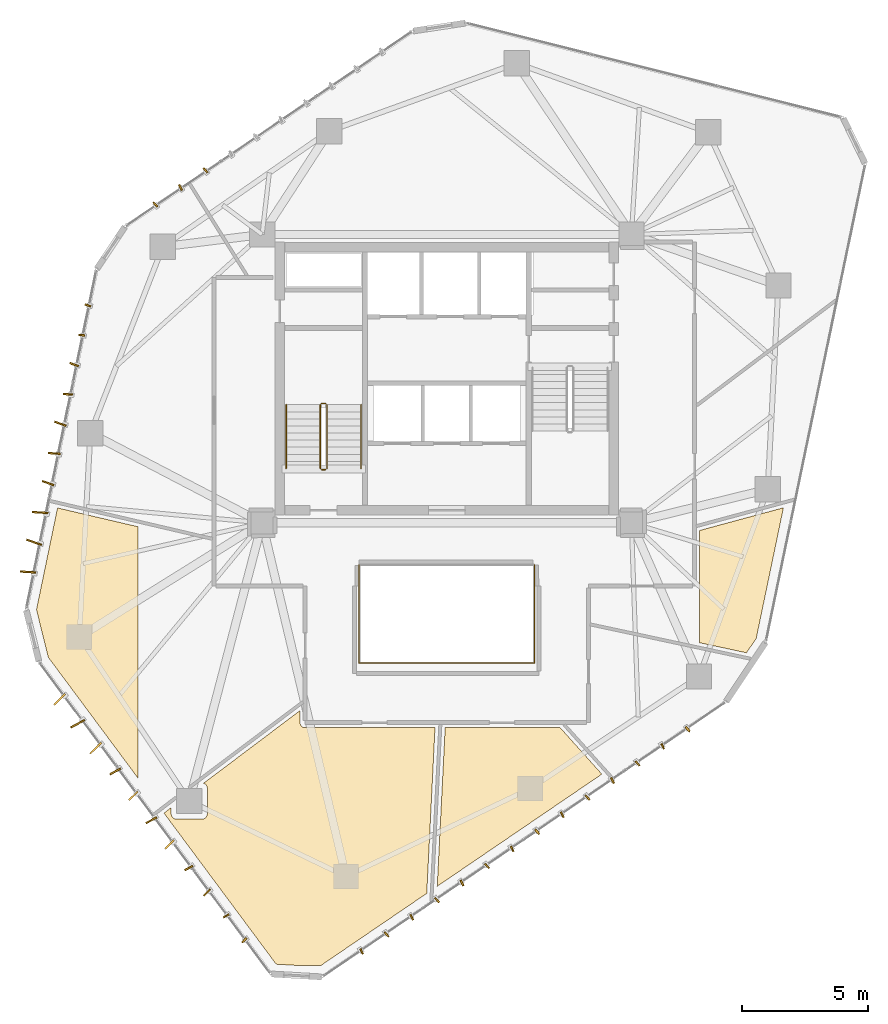
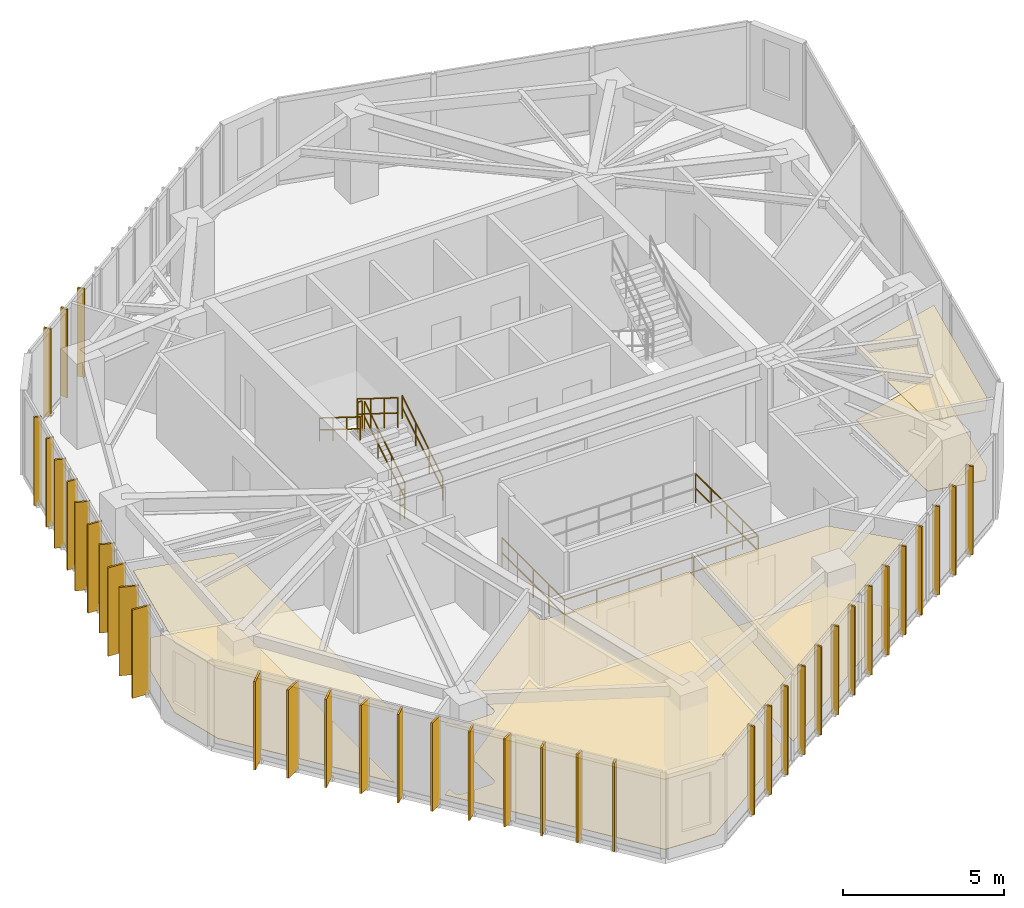
# One storey, part 19 of 20: 38 shading devices, 9 railings, 8 coverings.
"""IFC4 building model written with IfcOpenShell, lengths in metres."""

from ifc_helpers import new_model, si_unit, direction, frame, origin, origin_2d, place, context, subcontext, project, spatial, polyline, rectangle, circle, outline, extrude, source, transform, mapped, material, layer, layer_set, type_object, type_shapes, element, save


model = new_model("IFC4")

# Units and contexts
model_context = context("Model", 3, precision=1e-05, world=origin(), true_north=direction((0.0, 1.0)))
body_context = subcontext(model_context, "Body", "Model", "MODEL_VIEW")
ifc_project = project(units=[si_unit("LENGTHUNIT", "METRE"), si_unit("AREAUNIT", "SQUARE_METRE"), si_unit("VOLUMEUNIT", "CUBIC_METRE"), si_unit("PLANEANGLEUNIT", "RADIAN"), si_unit("MASSUNIT", "GRAM", prefix="KILO")], contexts=[model_context])

# Site, building, storey
site_placement = place(None, origin())
site = spatial("IfcSite", under=ifc_project, at=site_placement, CompositionType="ELEMENT")
building_placement = place(site_placement, origin())
building = spatial("IfcBuilding", under=site, at=building_placement, Name="Talar Marvaseh", CompositionType="ELEMENT")
storey_placement = place(building_placement, frame((0.0, 0.0, 191.5)))
storey = spatial("IfcBuildingStorey", under=building, at=storey_placement, Name="L50", CompositionType="ELEMENT", Elevation=191.5)

# Railings
ifc_material_1 = material(Name="Stainless Steel Grade 316", Category="steel")
railing_type_1 = type_object("IfcRailingType", Name="Brushed Stainless Wall Pitch Handrail 900", PredefinedType="HANDRAIL", material=ifc_material_1)
railing_1_placement = place(storey_placement, frame((22.610107421875, 27.64990234375, 0.175048828125)))
element("IfcRailing", 1, at=railing_1_placement, inside=storey, type_object=railing_type_1, Name="L50 ST-1 stair handrail 1", PredefinedType="HANDRAIL", context=body_context, shape_type="SweptSolid", body=[
    extrude(circle(Radius=0.02392578125, at=origin_2d()), frame((0.0, 0.0, 0.8759765625), z_axis=(0.0, 0.848007534815, 0.529984170421), x_axis=(-1.0, 0.0, 0.0)), (0.0, 0.0, 1.0), 2.9716796875),
    extrude(circle(Radius=0.02392578125, at=origin_2d()), frame((0.0, 0.0, 0.42578125), z_axis=(0.0, 0.848007534815, 0.529984170421), x_axis=(-1.0, 0.0, 0.0)), (0.0, 0.0, 1.0), 2.9716796875),
    extrude(circle(Radius=0.02099609375, at=origin_2d()), origin(), (0.0, 0.0, 1.0), 0.851806640625),
    extrude(circle(Radius=0.02099609375, at=origin_2d()), frame((0.0, 0.840087890625, 0.52490234375)), (0.0, 0.0, 1.0), 0.851806640625),
    extrude(circle(Radius=0.02099609375, at=origin_2d()), frame((0.0, 1.679931640625, 1.050048828125)), (0.0, 0.0, 1.0), 0.851806640625),
    extrude(circle(Radius=0.02099609375, at=origin_2d()), frame((0.0, 2.52001953125, 1.574951171875)), (0.0, 0.0, 1.0), 0.851806640625),
])
railing_2_placement = place(storey_placement, frame((19.64990234375, 30.169921875, 1.925048828125)))
element("IfcRailing", 2, at=railing_2_placement, inside=storey, type_object=railing_type_1, Name="L50 ST-1 stair handrail 2", PredefinedType="HANDRAIL", context=body_context, shape_type="SweptSolid", body=[
    extrude(circle(Radius=0.02392578125, at=origin_2d()), frame((0.0, 0.0, 0.8759765625), z_axis=(0.0, -0.848007534815, 0.529984170421), x_axis=(1.0, 0.0, 0.0)), (0.0, 0.0, 1.0), 2.9716796875),
    extrude(circle(Radius=0.02392578125, at=origin_2d()), frame((0.0, 0.0, 0.42578125), z_axis=(0.0, -0.848007534815, 0.529984170421), x_axis=(1.0, 0.0, 0.0)), (0.0, 0.0, 1.0), 2.9716796875),
    extrude(circle(Radius=0.02099609375, at=origin_2d()), origin(), (0.0, 0.0, 1.0), 0.851806640625),
    extrude(circle(Radius=0.02099609375, at=origin_2d()), frame((0.0, -0.840087890625, 0.52490234375)), (0.0, 0.0, 1.0), 0.851806640625),
    extrude(circle(Radius=0.02099609375, at=origin_2d()), frame((0.0, -1.679931640625, 1.050048828125)), (0.0, 0.0, 1.0), 0.851806640625),
    extrude(circle(Radius=0.02099609375, at=origin_2d()), frame((0.0, -2.52001953125, 1.574951171875)), (0.0, 0.0, 1.0), 0.851806640625),
])
ifc_material_2 = material(Name="Tempered Clear Glass", Category="glass")
railing_type_2 = type_object("IfcRailingType", Name="Interior Atrium Edge Balustrade 1120", PredefinedType="BALUSTRADE", material=ifc_material_2)
railing_3_placement = place(storey_placement, frame((22.5302734375, 19.9609375, 0.0)))
element("IfcRailing", 3, at=railing_3_placement, inside=storey, type_object=railing_type_2, Name="L50 Internal Daylight Atrium Balustrade 1", PredefinedType="BALUSTRADE", context=body_context, shape_type="SweptSolid", body=[
    extrude(circle(Radius=0.02392578125, at=origin_2d()), frame((0.0, 0.0, 1.09619140625), z_axis=(1.0, 0.0, 0.0), x_axis=(0.0, 1.0, 0.0)), (0.0, 0.0, 1.0), 6.939453125),
    extrude(circle(Radius=0.02392578125, at=origin_2d()), frame((0.0, 0.0, 0.5361328125), z_axis=(1.0, 0.0, 0.0), x_axis=(0.0, 1.0, 0.0)), (0.0, 0.0, 1.0), 6.939453125),
    extrude(circle(Radius=0.02099609375, at=origin_2d()), origin(), (0.0, 0.0, 1.0), 1.072021484375),
    extrude(circle(Radius=0.02099609375, at=origin_2d()), frame((1.156494140625, 0.0, 0.0)), (0.0, 0.0, 1.0), 1.072021484375),
    extrude(circle(Radius=0.02099609375, at=origin_2d()), frame((2.313232421875, 0.0, 0.0)), (0.0, 0.0, 1.0), 1.072021484375),
    extrude(circle(Radius=0.02099609375, at=origin_2d()), frame((3.4697265625, 0.0, 0.0)), (0.0, 0.0, 1.0), 1.072021484375),
    extrude(circle(Radius=0.02099609375, at=origin_2d()), frame((4.626220703125, 0.0, 0.0)), (0.0, 0.0, 1.0), 1.072021484375),
    extrude(circle(Radius=0.02099609375, at=origin_2d()), frame((5.782958984375, 0.0, 0.0)), (0.0, 0.0, 1.0), 1.072021484375),
    extrude(circle(Radius=0.02099609375, at=origin_2d()), frame((6.939453125, 0.0, 0.0)), (0.0, 0.0, 1.0), 1.072021484375),
])
railing_4_placement = place(storey_placement, frame((29.4697265625, 19.9609375, 0.0)))
element("IfcRailing", 4, at=railing_4_placement, inside=storey, type_object=railing_type_2, Name="L50 Internal Daylight Atrium Balustrade 2", PredefinedType="BALUSTRADE", context=body_context, shape_type="SweptSolid", body=[
    extrude(circle(Radius=0.02392578125, at=origin_2d()), frame((0.0, 0.0, 1.09619140625), z_axis=(0.0, 1.0, 0.0), x_axis=(-1.0, 0.0, 0.0)), (0.0, 0.0, 1.0), 3.878173828125),
    extrude(circle(Radius=0.02392578125, at=origin_2d()), frame((0.0, 0.0, 0.5361328125), z_axis=(0.0, 1.0, 0.0), x_axis=(-1.0, 0.0, 0.0)), (0.0, 0.0, 1.0), 3.878173828125),
    extrude(circle(Radius=0.02099609375, at=origin_2d()), origin(), (0.0, 0.0, 1.0), 1.072021484375),
    extrude(circle(Radius=0.02099609375, at=origin_2d()), frame((0.0, 0.969482421875, 0.0)), (0.0, 0.0, 1.0), 1.072021484375),
    extrude(circle(Radius=0.02099609375, at=origin_2d()), frame((0.0, 1.93896484375, 0.0)), (0.0, 0.0, 1.0), 1.072021484375),
    extrude(circle(Radius=0.02099609375, at=origin_2d()), frame((0.0, 2.90869140625, 0.0)), (0.0, 0.0, 1.0), 1.072021484375),
    extrude(circle(Radius=0.02099609375, at=origin_2d()), frame((0.0, 3.878173828125, 0.0)), (0.0, 0.0, 1.0), 1.072021484375),
])
railing_5_placement = place(storey_placement, frame((22.5302734375, 23.839111328125, 0.0)))
element("IfcRailing", 5, at=railing_5_placement, inside=storey, type_object=railing_type_2, Name="L50 Internal Daylight Atrium Balustrade 4", PredefinedType="BALUSTRADE", context=body_context, shape_type="SweptSolid", body=[
    extrude(circle(Radius=0.02392578125, at=origin_2d()), frame((0.0, 0.0, 1.09619140625), z_axis=(0.0, -1.0, 0.0), x_axis=(1.0, 0.0, 0.0)), (0.0, 0.0, 1.0), 3.878173828125),
    extrude(circle(Radius=0.02392578125, at=origin_2d()), frame((0.0, 0.0, 0.5361328125), z_axis=(0.0, -1.0, 0.0), x_axis=(1.0, 0.0, 0.0)), (0.0, 0.0, 1.0), 3.878173828125),
    extrude(circle(Radius=0.02099609375, at=origin_2d()), origin(), (0.0, 0.0, 1.0), 1.072021484375),
    extrude(circle(Radius=0.02099609375, at=origin_2d()), frame((0.0, -0.969482421875, 0.0)), (0.0, 0.0, 1.0), 1.072021484375),
    extrude(circle(Radius=0.02099609375, at=origin_2d()), frame((0.0, -1.93896484375, 0.0)), (0.0, 0.0, 1.0), 1.072021484375),
    extrude(circle(Radius=0.02099609375, at=origin_2d()), frame((0.0, -2.90869140625, 0.0)), (0.0, 0.0, 1.0), 1.072021484375),
    extrude(circle(Radius=0.02099609375, at=origin_2d()), frame((0.0, -3.878173828125, 0.0)), (0.0, 0.0, 1.0), 1.072021484375),
])
railing_type_3 = type_object("IfcRailingType", Name="Painted Steel Core Stair Well Guardrail 1150", PredefinedType="GUARDRAIL", material=ifc_material_1)
railing_6_placement = place(storey_placement, frame((21.260009765625, 27.64990234375, 0.175048828125)))
element("IfcRailing", 6, at=railing_6_placement, inside=storey, type_object=railing_type_3, Name="L50 ST-1 stair guard 1", PredefinedType="GUARDRAIL", context=body_context, shape_type="SweptSolid", body=[
    extrude(circle(Radius=0.02392578125, at=origin_2d()), frame((0.0, 0.0, 1.1259765625), z_axis=(0.0, 0.848007534815, 0.529984170421), x_axis=(-1.0, 0.0, 0.0)), (0.0, 0.0, 1.0), 2.9716796875),
    extrude(circle(Radius=0.02392578125, at=origin_2d()), frame((0.0, 0.0, 0.55078125), z_axis=(0.0, 0.848007534815, 0.529984170421), x_axis=(-1.0, 0.0, 0.0)), (0.0, 0.0, 1.0), 2.9716796875),
    extrude(circle(Radius=0.02099609375, at=origin_2d()), origin(), (0.0, 0.0, 1.0), 1.101806640625),
    extrude(circle(Radius=0.02099609375, at=origin_2d()), frame((0.0, 0.840087890625, 0.52490234375)), (0.0, 0.0, 1.0), 1.101806640625),
    extrude(circle(Radius=0.02099609375, at=origin_2d()), frame((0.0, 1.679931640625, 1.050048828125)), (0.0, 0.0, 1.0), 1.101806640625),
    extrude(circle(Radius=0.02099609375, at=origin_2d()), frame((0.0, 2.52001953125, 1.574951171875)), (0.0, 0.0, 1.0), 1.101806640625),
])
railing_7_placement = place(storey_placement, frame((21.2099609375, 30.219970703125, 1.75)))
element("IfcRailing", 7, at=railing_7_placement, inside=storey, type_object=railing_type_3, Name="L50 ST-1 stair guard 2", PredefinedType="GUARDRAIL", context=body_context, shape_type="SweptSolid", body=[
    extrude(circle(Radius=0.02392578125, at=origin_2d()), frame((0.0, 0.0, 1.1259765625), z_axis=(-1.0, 0.0, 0.0), x_axis=(0.0, -1.0, 0.0)), (0.0, 0.0, 1.0), 0.159912109375),
    extrude(circle(Radius=0.02392578125, at=origin_2d()), frame((0.0, 0.0, 0.55078125), z_axis=(-1.0, 0.0, 0.0), x_axis=(0.0, -1.0, 0.0)), (0.0, 0.0, 1.0), 0.159912109375),
    extrude(circle(Radius=0.02099609375, at=origin_2d()), origin(), (0.0, 0.0, 1.0), 1.101806640625),
    extrude(circle(Radius=0.02099609375, at=origin_2d()), frame((-0.159912109375, 0.0, 0.0)), (0.0, 0.0, 1.0), 1.101806640625),
])
railing_8_placement = place(storey_placement, frame((21.0, 30.169921875, 1.925048828125)))
element("IfcRailing", 8, at=railing_8_placement, inside=storey, type_object=railing_type_3, Name="L50 ST-1 stair guard 3", PredefinedType="GUARDRAIL", context=body_context, shape_type="SweptSolid", body=[
    extrude(circle(Radius=0.02392578125, at=origin_2d()), frame((0.0, 0.0, 1.1259765625), z_axis=(0.0, -0.848007534815, 0.529984170421), x_axis=(1.0, 0.0, 0.0)), (0.0, 0.0, 1.0), 2.9716796875),
    extrude(circle(Radius=0.02392578125, at=origin_2d()), frame((0.0, 0.0, 0.55078125), z_axis=(0.0, -0.848007534815, 0.529984170421), x_axis=(1.0, 0.0, 0.0)), (0.0, 0.0, 1.0), 2.9716796875),
    extrude(circle(Radius=0.02099609375, at=origin_2d()), origin(), (0.0, 0.0, 1.0), 1.101806640625),
    extrude(circle(Radius=0.02099609375, at=origin_2d()), frame((0.0, -0.840087890625, 0.52490234375)), (0.0, 0.0, 1.0), 1.101806640625),
    extrude(circle(Radius=0.02099609375, at=origin_2d()), frame((0.0, -1.679931640625, 1.050048828125)), (0.0, 0.0, 1.0), 1.101806640625),
    extrude(circle(Radius=0.02099609375, at=origin_2d()), frame((0.0, -2.52001953125, 1.574951171875)), (0.0, 0.0, 1.0), 1.101806640625),
])
railing_9_placement = place(storey_placement, frame((21.2099609375, 27.60009765625, 0.0)))
element("IfcRailing", 9, at=railing_9_placement, inside=storey, type_object=railing_type_3, Name="L50 ST-1 stair guard 4", PredefinedType="GUARDRAIL", context=body_context, shape_type="SweptSolid", body=[
    extrude(circle(Radius=0.02392578125, at=origin_2d()), frame((0.0, 0.0, 1.1259765625), z_axis=(-1.0, 0.0, 0.0), x_axis=(0.0, -1.0, 0.0)), (0.0, 0.0, 1.0), 0.159912109375),
    extrude(circle(Radius=0.02392578125, at=origin_2d()), frame((0.0, 0.0, 0.55078125), z_axis=(-1.0, 0.0, 0.0), x_axis=(0.0, -1.0, 0.0)), (0.0, 0.0, 1.0), 0.159912109375),
    extrude(circle(Radius=0.02099609375, at=origin_2d()), origin(), (0.0, 0.0, 1.0), 1.101806640625),
    extrude(circle(Radius=0.02099609375, at=origin_2d()), frame((-0.159912109375, 0.0, 0.0)), (0.0, 0.0, 1.0), 1.101806640625),
])

# Coverings
ifc_material_3 = material(Name="Mineral Fibre Acoustic Ceiling")
ifc_layer_1 = layer(ifc_material_3, 0.02490234375)
ifc_layer_set_1 = layer_set([ifc_layer_1], Name="Mineral Fibre Acoustic Ceiling")
covering_type_1 = type_object("IfcCoveringType", Name="Perforated Mineral Fibre Acoustic Suspended Ceiling", PredefinedType="CEILING", material=ifc_layer_set_1)
covering_1_placement = place(storey_placement, frame((0.0, 0.0, 2.64990234375)))
element("IfcCovering", 10, at=covering_1_placement, inside=storey, type_object=covering_type_1, Name="L50 Seminar Room Acoustic Ceiling", PredefinedType="CEILING", context=body_context, shape_type="SweptSolid", body=[
    extrude(outline(polyline([(13.800048828125, 25.34375), (13.800048828125, 15.394287109375), (10.244873046875, 20.18212890625), (9.77880859375, 22.068603515625), (10.610107421875, 26.088623046875), (13.800048828125, 25.34375)])), origin(), (0.0, 0.0, 1.0), 0.025146484375),
])
covering_2_placement = place(storey_placement, frame((0.0, 0.0, 2.64990234375)))
element("IfcCovering", 11, at=covering_2_placement, inside=storey, type_object=covering_type_1, Name="L50 Curatorial Staff Control Room Acoustic Ceiling", PredefinedType="CEILING", context=body_context, shape_type="SweptSolid", body=[
    extrude(outline(polyline([(20.199951171875, 17.60009765625), (20.200927734375, 17.580322265625), (20.203857421875, 17.56103515625), (20.20849609375, 17.5419921875), (20.215087890625, 17.5234375), (20.2236328125, 17.505615234375), (20.233642578125, 17.489013671875), (20.245361328125, 17.47314453125), (20.258544921875, 17.45849609375), (20.273193359375, 17.4453125), (20.288818359375, 17.43359375), (20.3056640625, 17.423583984375), (20.323486328125, 17.415283203125), (20.341796875, 17.40869140625), (20.361083984375, 17.40380859375), (20.38037109375, 17.40087890625), (20.39990234375, 17.39990234375), (25.535400390625, 17.39990234375), (25.20849609375, 10.848388671875), (21.02685546875, 8.0), (20.1064453125, 8.0), (19.254150390625, 8.049560546875), (14.818115234375, 14.0234375), (15.10400390625, 14.239013671875), (15.10400390625, 14.0009765625), (15.10498046875, 13.9814453125), (15.10791015625, 13.9619140625), (15.11279296875, 13.94287109375), (15.119384765625, 13.92431640625), (15.127685546875, 13.906494140625), (15.134521484375, 13.89404296875), (15.14453125, 13.877197265625), (15.15625, 13.861572265625), (15.16943359375, 13.846923828125), (15.18408203125, 13.833740234375), (15.19970703125, 13.822021484375), (15.216552734375, 13.81201171875), (15.234375, 13.8037109375), (15.252685546875, 13.797119140625), (15.27197265625, 13.792236328125), (15.291259765625, 13.789306640625), (15.310791015625, 13.78857421875), (16.32861328125, 13.789306640625), (16.34912109375, 13.79052734375), (16.369384765625, 13.793701171875), (16.38916015625, 13.798828125), (16.408447265625, 13.805908203125), (16.4267578125, 13.815185546875), (16.444091796875, 13.826171875), (16.460205078125, 13.8388671875), (16.474853515625, 13.85302734375), (16.488037109375, 13.86865234375), (16.49951171875, 13.8857421875), (16.50927734375, 13.90380859375), (16.5146484375, 13.915283203125), (16.521484375, 13.931640625), (16.527099609375, 13.948486328125), (16.531005859375, 13.966064453125), (16.533203125, 13.983642578125), (16.533935546875, 14.00146484375), (16.5322265625, 15.008544921875), (16.531005859375, 15.029052734375), (16.52783203125, 15.04931640625), (16.522705078125, 15.069091796875), (16.515380859375, 15.08837890625), (16.506103515625, 15.10693359375), (16.4951171875, 15.124267578125), (16.482177734375, 15.140380859375), (16.4677734375, 15.155029296875), (16.451904296875, 15.168212890625), (16.434814453125, 15.1796875), (16.421630859375, 15.1875), (16.402587890625, 15.19775390625), (16.385498046875, 15.20458984375), (20.199951171875, 18.0791015625), (20.199951171875, 17.60009765625)])), origin(), (0.0, 0.0, 1.0), 0.025146484375),
])
covering_3_placement = place(storey_placement, frame((0.0, 0.0, 2.64990234375)))
element("IfcCovering", 12, at=covering_3_placement, inside=storey, type_object=covering_type_1, Name="L50 Colloquium Boardroom Acoustic Ceiling", PredefinedType="CEILING", context=body_context, shape_type="SweptSolid", body=[
    extrude(outline(polyline([(32.131591796875, 15.5634765625), (25.623291015625, 11.130615234375), (25.935791015625, 17.39990234375), (30.484619140625, 17.39990234375), (32.131591796875, 15.5634765625)])), origin(), (0.0, 0.0, 1.0), 0.025146484375),
])
covering_4_placement = place(storey_placement, frame((0.0, 0.0, 2.64990234375)))
element("IfcCovering", 13, at=covering_4_placement, inside=storey, type_object=covering_type_1, Name="L50 Accessible WC Acoustic Ceiling", PredefinedType="CEILING", context=body_context, shape_type="SweptSolid", body=[
    extrude(outline(polyline([(36.0, 23.0), (36.0, 25.19921875), (39.310302734375, 26.09521484375), (38.236572265625, 20.937255859375), (37.8515625, 20.36083984375), (36.0, 20.75830078125), (36.0, 23.0)])), origin(), (0.0, 0.0, 1.0), 0.025146484375),
])
ifc_material_4 = material(Name="Porcelain Stoneware Tile", Category="masonry")
ifc_layer_2 = layer(ifc_material_4, 0.02001953125)
ifc_layer_set_2 = layer_set([ifc_layer_2], Name="Porcelain Stoneware Tile")
covering_type_2 = type_object("IfcCoveringType", Name="Polished Porcelain Stoneware Gallery Flooring", PredefinedType="FLOORING", material=ifc_layer_set_2)
covering_5_placement = place(storey_placement, origin())
element("IfcCovering", 14, at=covering_5_placement, inside=storey, type_object=covering_type_2, Name="L50 Seminar Room Flooring", PredefinedType="FLOORING", context=body_context, shape_type="SweptSolid", body=[
    extrude(outline(polyline([(13.800048828125, 25.34375), (13.800048828125, 15.394287109375), (10.244873046875, 20.18212890625), (9.77880859375, 22.068603515625), (10.610107421875, 26.088623046875), (13.800048828125, 25.34375)])), origin(), (0.0, 0.0, 1.0), 0.02001953125),
])
covering_6_placement = place(storey_placement, origin())
element("IfcCovering", 15, at=covering_6_placement, inside=storey, type_object=covering_type_2, Name="L50 Curatorial Staff Control Room Flooring", PredefinedType="FLOORING", context=body_context, shape_type="SweptSolid", body=[
    extrude(outline(polyline([(20.199951171875, 17.60009765625), (20.200927734375, 17.580322265625), (20.203857421875, 17.56103515625), (20.20849609375, 17.5419921875), (20.215087890625, 17.5234375), (20.2236328125, 17.505615234375), (20.233642578125, 17.489013671875), (20.245361328125, 17.47314453125), (20.258544921875, 17.45849609375), (20.273193359375, 17.4453125), (20.288818359375, 17.43359375), (20.3056640625, 17.423583984375), (20.323486328125, 17.415283203125), (20.341796875, 17.40869140625), (20.361083984375, 17.40380859375), (20.38037109375, 17.40087890625), (20.39990234375, 17.39990234375), (25.535400390625, 17.39990234375), (25.20849609375, 10.848388671875), (21.02685546875, 8.0), (20.1064453125, 8.0), (19.254150390625, 8.049560546875), (14.818115234375, 14.0234375), (15.10400390625, 14.239013671875), (15.10400390625, 14.0009765625), (15.10498046875, 13.9814453125), (15.10791015625, 13.9619140625), (15.11279296875, 13.94287109375), (15.119384765625, 13.92431640625), (15.127685546875, 13.906494140625), (15.134521484375, 13.89404296875), (15.14453125, 13.877197265625), (15.15625, 13.861572265625), (15.16943359375, 13.846923828125), (15.18408203125, 13.833740234375), (15.19970703125, 13.822021484375), (15.216552734375, 13.81201171875), (15.234375, 13.8037109375), (15.252685546875, 13.797119140625), (15.27197265625, 13.792236328125), (15.291259765625, 13.789306640625), (15.310791015625, 13.78857421875), (16.32861328125, 13.789306640625), (16.34912109375, 13.79052734375), (16.369384765625, 13.793701171875), (16.38916015625, 13.798828125), (16.408447265625, 13.805908203125), (16.4267578125, 13.815185546875), (16.444091796875, 13.826171875), (16.460205078125, 13.8388671875), (16.474853515625, 13.85302734375), (16.488037109375, 13.86865234375), (16.49951171875, 13.8857421875), (16.50927734375, 13.90380859375), (16.5146484375, 13.915283203125), (16.521484375, 13.931640625), (16.527099609375, 13.948486328125), (16.531005859375, 13.966064453125), (16.533203125, 13.983642578125), (16.533935546875, 14.00146484375), (16.5322265625, 15.008544921875), (16.531005859375, 15.029052734375), (16.52783203125, 15.04931640625), (16.522705078125, 15.069091796875), (16.515380859375, 15.08837890625), (16.506103515625, 15.10693359375), (16.4951171875, 15.124267578125), (16.482177734375, 15.140380859375), (16.4677734375, 15.155029296875), (16.451904296875, 15.168212890625), (16.434814453125, 15.1796875), (16.421630859375, 15.1875), (16.402587890625, 15.19775390625), (16.385498046875, 15.20458984375), (20.199951171875, 18.0791015625), (20.199951171875, 17.60009765625)])), origin(), (0.0, 0.0, 1.0), 0.02001953125),
])
covering_7_placement = place(storey_placement, origin())
element("IfcCovering", 16, at=covering_7_placement, inside=storey, type_object=covering_type_2, Name="L50 Colloquium Boardroom Flooring", PredefinedType="FLOORING", context=body_context, shape_type="SweptSolid", body=[
    extrude(outline(polyline([(32.131591796875, 15.5634765625), (25.623291015625, 11.130615234375), (25.935791015625, 17.39990234375), (30.484619140625, 17.39990234375), (32.131591796875, 15.5634765625)])), origin(), (0.0, 0.0, 1.0), 0.02001953125),
])
covering_8_placement = place(storey_placement, origin())
element("IfcCovering", 17, at=covering_8_placement, inside=storey, type_object=covering_type_2, Name="L50 Accessible WC Flooring", PredefinedType="FLOORING", context=body_context, shape_type="SweptSolid", body=[
    extrude(outline(polyline([(36.0, 23.0), (36.0, 25.19921875), (39.310302734375, 26.09521484375), (38.236572265625, 20.937255859375), (37.8515625, 20.36083984375), (36.0, 20.75830078125), (36.0, 23.0)])), origin(), (0.0, 0.0, 1.0), 0.02001953125),
])

# Shading devices
ifc_material_5 = material(Name="Anodised Champagne Bronze Aluminium", Category="aluminium")
ifc_layer_3 = layer(ifc_material_5, 0.06494140625)
ifc_layer_set_3 = layer_set([ifc_layer_3], Name="Anodised Champagne Bronze Aluminium")
shading_device_type_1 = type_object("IfcShadingDeviceType", Name="Sawtooth Champagne Bronze Vertical Fin 240", PredefinedType="USERDEFINED", material=ifc_layer_set_3)
shared_shape_1 = source(origin(), body_context, "Body", "SweptSolid", [
    extrude(rectangle(XDim=0.239990234375, YDim=0.06494140625, at=origin_2d()), origin(), (0.0, 0.0, 1.0), 3.35009765625),
])
type_shapes(shading_device_type_1, [shared_shape_1])
for number, where, z_axis, x_axis, name in (
    (18, (17.99609375, 8.9970703125, -0.1201171875), (0.0, 0.0, 1.0), (-0.712026045991, -0.702153052995, 0.0), "L50 Sawtooth Vertical Solar Fin"),
    (19, (17.28076171875, 9.96044921875, -0.1201171875), (0.0, 0.0, 1.0), (-0.877982975428, -0.478691857941, 0.0), "L50 Sawtooth Vertical Solar Fin"),
    (20, (11.568115234375, 32.919921875, -0.1201171875), (0.0, 0.0, 1.0), (-0.9979380835, 0.064183966065, 0.0), "L50 Sawtooth Vertical Solar Fin"),
    (21, (11.81103515625, 34.094970703125, -0.1201171875), (0.0, 0.0, 1.0), (-0.941588155895, 0.336766602676, 0.0), "L50 Sawtooth Vertical Solar Fin"),
    (22, (14.477294921875, 38.085205078125, -0.1201171875), (0.0, 0.0, 1.0), (-0.671461958818, 0.741039025868, 0.0), "L50 Sawtooth Vertical Solar Fin"),
    (23, (15.469970703125, 38.75927734375, -0.1201171875), (0.0, 0.0, 1.0), (-0.441192623644, 0.897412429623, 0.0), "L50 Sawtooth Vertical Solar Fin"),
    (24, (16.462646484375, 39.43359375, -0.1201171875), (0.0, 0.0, 1.0), (-0.671461958818, 0.741039025868, 0.0), "L50 Sawtooth Vertical Solar Fin"),
    (25, (35.52685546875, 17.337646484375, -0.1201171875), (0.0, 0.0, 1.0), (0.672495989628, -0.740100766068, 0.0), "L50 Sawtooth Vertical Solar Fin"),
    (26, (34.53515625, 16.662109375, -0.1201171875), (0.0, 0.0, 1.0), (0.442445217305, -0.896795533934, 0.0), "L50 Sawtooth Vertical Solar Fin"),
    (27, (33.543212890625, 15.986572265625, -0.1201171875), (0.0, 0.0, 1.0), (0.672495989628, -0.740100766068, 0.0), "L50 Sawtooth Vertical Solar Fin"),
    (28, (32.551513671875, 15.31103515625, -0.1201171875), (0.0, 0.0, 1.0), (0.442445217305, -0.896795533934, 0.0), "L50 Sawtooth Vertical Solar Fin"),
    (29, (31.559814453125, 14.635498046875, -0.1201171875), (0.0, 0.0, 1.0), (0.672495989628, -0.740100766068, 0.0), "L50 Sawtooth Vertical Solar Fin"),
    (30, (30.56787109375, 13.9599609375, -0.1201171875), (0.0, 0.0, 1.0), (0.442445217305, -0.896795533934, 0.0), "L50 Sawtooth Vertical Solar Fin"),
    (31, (29.576171875, 13.284423828125, -0.1201171875), (0.0, 0.0, 1.0), (0.672495989628, -0.740100766068, 0.0), "L50 Sawtooth Vertical Solar Fin"),
    (32, (28.584228515625, 12.60888671875, -0.1201171875), (0.0, 0.0, 1.0), (0.442445217305, -0.896795533934, 0.0), "L50 Sawtooth Vertical Solar Fin"),
    (33, (27.592529296875, 11.93359375, -0.1201171875), (0.0, 0.0, 1.0), (0.672495989628, -0.740100766068, 0.0), "L50 Sawtooth Vertical Solar Fin"),
    (34, (26.6005859375, 11.258056640625, -0.1201171875), (0.0, 0.0, 1.0), (0.442445217305, -0.896795533934, 0.0), "L50 Sawtooth Vertical Solar Fin"),
    (35, (25.60888671875, 10.58251953125, -0.1201171875), (0.0, 0.0, 1.0), (0.672495989628, -0.740100766068, 0.0), "L50 Sawtooth Vertical Solar Fin"),
    (36, (24.616943359375, 9.906982421875, -0.1201171875), (0.0, 0.0, 1.0), (0.442445217305, -0.896795533934, 0.0), "L50 Sawtooth Vertical Solar Fin"),
    (37, (23.625244140625, 9.2314453125, -0.1201171875), (0.0, 0.0, 1.0), (0.672495989628, -0.740100766068, 0.0), "L50 Sawtooth Vertical Solar Fin"),
    (38, (22.63330078125, 8.555908203125, -0.1201171875), (0.0, 0.0, 1.0), (0.442445217305, -0.896795533934, 0.0), "L50 Sawtooth Vertical Solar Fin"),
):
    element("IfcShadingDevice", number, at=place(storey_placement, frame(where, z_axis=z_axis, x_axis=x_axis)), inside=storey, type_object=shading_device_type_1, Name=name, ObjectType="FIN", PredefinedType="USERDEFINED", context=body_context, shape_type="MappedRepresentation", body=[
        mapped(shared_shape_1, transform((0.0, 0.0, 0.0), x_axis=(1.0, 0.0, 0.0), y_axis=(0.0, 1.0, 0.0), z_axis=(0.0, 0.0, 1.0), scale=1.0)),
    ])
ifc_layer_4 = layer(ifc_material_5, 0.06494140625)
ifc_layer_set_4 = layer_set([ifc_layer_4], Name="Anodised Champagne Bronze Aluminium")
shading_device_type_2 = type_object("IfcShadingDeviceType", Name="Sawtooth Champagne Bronze Vertical Fin 360", PredefinedType="USERDEFINED", material=ifc_layer_set_4)
shared_shape_2 = source(origin(), body_context, "Body", "SweptSolid", [
    extrude(rectangle(XDim=0.360107421875, YDim=0.06494140625, at=origin_2d()), origin(), (0.0, 0.0, 1.0), 3.35009765625),
])
type_shapes(shading_device_type_2, [shared_shape_2])
for number, where, z_axis, x_axis, name in (
    (39, (16.51708984375, 10.88818359375, -0.1201171875), (0.0, 0.0, 1.0), (-0.712026045991, -0.702153052995, 0.0), "L50 Sawtooth Vertical Solar Fin"),
    (40, (15.8017578125, 11.8515625, -0.1201171875), (0.0, 0.0, 1.0), (-0.877982975428, -0.478691857941, 0.0), "L50 Sawtooth Vertical Solar Fin"),
    (41, (11.023193359375, 30.581787109375, -0.1201171875), (0.0, 0.0, 1.0), (-0.9979380835, 0.064183966065, 0.0), "L50 Sawtooth Vertical Solar Fin"),
    (42, (11.266357421875, 31.7568359375, -0.1201171875), (0.0, 0.0, 1.0), (-0.941588155895, 0.336766602676, 0.0), "L50 Sawtooth Vertical Solar Fin"),
):
    element("IfcShadingDevice", number, at=place(storey_placement, frame(where, z_axis=z_axis, x_axis=x_axis)), inside=storey, type_object=shading_device_type_2, Name=name, ObjectType="FIN", PredefinedType="USERDEFINED", context=body_context, shape_type="MappedRepresentation", body=[
        mapped(shared_shape_2, transform((0.0, 0.0, 0.0), x_axis=(1.0, 0.0, 0.0), y_axis=(0.0, 1.0, 0.0), z_axis=(0.0, 0.0, 1.0), scale=1.0)),
    ])
ifc_layer_5 = layer(ifc_material_5, 0.06494140625)
ifc_layer_set_5 = layer_set([ifc_layer_5], Name="Anodised Champagne Bronze Aluminium")
shading_device_type_3 = type_object("IfcShadingDeviceType", Name="Sawtooth Champagne Bronze Vertical Fin 480", PredefinedType="USERDEFINED", material=ifc_layer_set_5)
shared_shape_3 = source(origin(), body_context, "Body", "SweptSolid", [
    extrude(rectangle(XDim=0.47998046875, YDim=0.06494140625, at=origin_2d()), origin(), (0.0, 0.0, 1.0), 3.35009765625),
])
type_shapes(shading_device_type_3, [shared_shape_3])
for number, where, z_axis, x_axis, name in (
    (43, (15.0380859375, 12.779296875, -0.1201171875), (0.0, 0.0, 1.0), (-0.712026045991, -0.702153052995, 0.0), "L50 Sawtooth Vertical Solar Fin"),
    (44, (14.32275390625, 13.74267578125, -0.1201171875), (0.0, 0.0, 1.0), (-0.877982975428, -0.478691857941, 0.0), "L50 Sawtooth Vertical Solar Fin"),
    (45, (13.607421875, 14.7060546875, -0.1201171875), (0.0, 0.0, 1.0), (-0.712026045991, -0.702153052995, 0.0), "L50 Sawtooth Vertical Solar Fin"),
    (46, (12.89208984375, 15.66943359375, -0.1201171875), (0.0, 0.0, 1.0), (-0.877982975428, -0.478691857941, 0.0), "L50 Sawtooth Vertical Solar Fin"),
    (47, (10.235595703125, 27.068359375, -0.1201171875), (0.0, 0.0, 1.0), (-0.941588155895, 0.336766602676, 0.0), "L50 Sawtooth Vertical Solar Fin"),
    (48, (10.478515625, 28.243408203125, -0.1201171875), (0.0, 0.0, 1.0), (-0.9979380835, 0.064183966065, 0.0), "L50 Sawtooth Vertical Solar Fin"),
    (49, (10.721435546875, 29.418701171875, -0.1201171875), (0.0, 0.0, 1.0), (-0.941588155895, 0.336766602676, 0.0), "L50 Sawtooth Vertical Solar Fin"),
):
    element("IfcShadingDevice", number, at=place(storey_placement, frame(where, z_axis=z_axis, x_axis=x_axis)), inside=storey, type_object=shading_device_type_3, Name=name, ObjectType="FIN", PredefinedType="USERDEFINED", context=body_context, shape_type="MappedRepresentation", body=[
        mapped(shared_shape_3, transform((0.0, 0.0, 0.0), x_axis=(1.0, 0.0, 0.0), y_axis=(0.0, 1.0, 0.0), z_axis=(0.0, 0.0, 1.0), scale=1.0)),
    ])
ifc_layer_6 = layer(ifc_material_5, 0.06494140625)
ifc_layer_set_6 = layer_set([ifc_layer_6], Name="Anodised Champagne Bronze Aluminium")
shading_device_type_4 = type_object("IfcShadingDeviceType", Name="Sawtooth Champagne Bronze Vertical Fin 620", PredefinedType="USERDEFINED", material=ifc_layer_set_6)
shared_shape_4 = source(origin(), body_context, "Body", "SweptSolid", [
    extrude(rectangle(XDim=0.6201171875, YDim=0.06494140625, at=origin_2d()), origin(), (0.0, 0.0, 1.0), 3.35009765625),
])
type_shapes(shading_device_type_4, [shared_shape_4])
for number, where, z_axis, x_axis, name in (
    (50, (12.120361328125, 16.59130859375, -0.1201171875), (0.0, 0.0, 1.0), (-0.712026045991, -0.702153052995, 0.0), "L50 Sawtooth Vertical Solar Fin"),
    (51, (11.405029296875, 17.5546875, -0.1201171875), (0.0, 0.0, 1.0), (-0.877982975428, -0.478691857941, 0.0), "L50 Sawtooth Vertical Solar Fin"),
    (52, (10.689697265625, 18.51806640625, -0.1201171875), (0.0, 0.0, 1.0), (-0.712026045991, -0.702153052995, 0.0), "L50 Sawtooth Vertical Solar Fin"),
    (53, (9.43798828125, 23.55712890625, -0.1201171875), (0.0, 0.0, 1.0), (-0.9979380835, 0.064183966065, 0.0), "L50 Sawtooth Vertical Solar Fin"),
    (54, (9.68115234375, 24.732421875, -0.1201171875), (0.0, 0.0, 1.0), (-0.941588155895, 0.336766602676, 0.0), "L50 Sawtooth Vertical Solar Fin"),
    (55, (9.924072265625, 25.907470703125, -0.1201171875), (0.0, 0.0, 1.0), (-0.9979380835, 0.064183966065, 0.0), "L50 Sawtooth Vertical Solar Fin"),
):
    element("IfcShadingDevice", number, at=place(storey_placement, frame(where, z_axis=z_axis, x_axis=x_axis)), inside=storey, type_object=shading_device_type_4, Name=name, ObjectType="FIN", PredefinedType="USERDEFINED", context=body_context, shape_type="MappedRepresentation", body=[
        mapped(shared_shape_4, transform((0.0, 0.0, 0.0), x_axis=(1.0, 0.0, 0.0), y_axis=(0.0, 1.0, 0.0), z_axis=(0.0, 0.0, 1.0), scale=1.0)),
    ])

save(model, "model.ifc")
